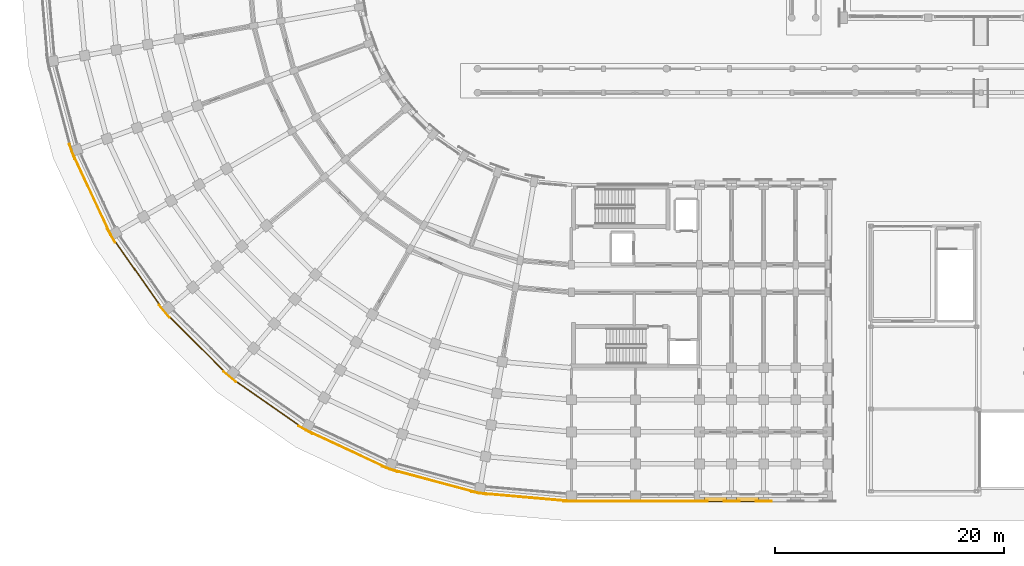
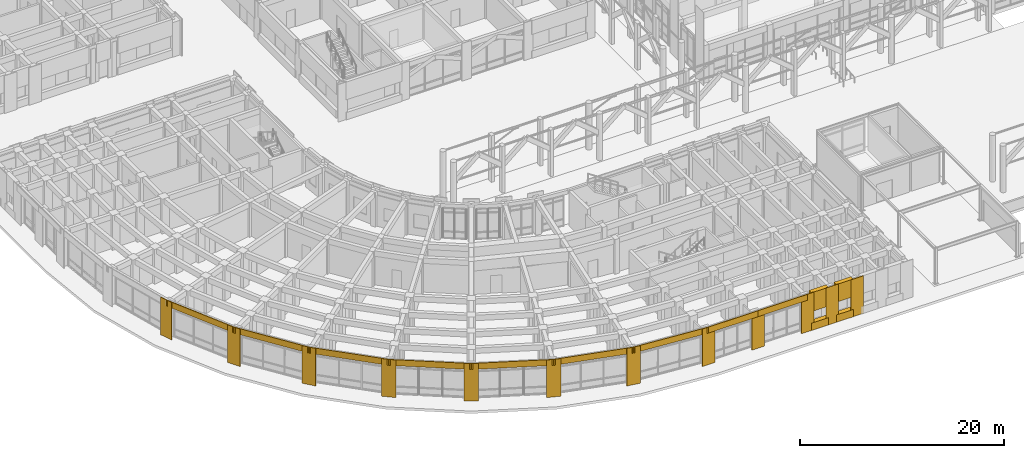
# One storey, part 116 of 135: 25 coverings.
"""IFC4 building model written with IfcOpenShell, lengths in metres."""

from ifc_helpers import new_model, si_unit, direction, frame, origin, place, context, subcontext, project, spatial, polyline, outline, extrude, material, layer, layer_set, type_object, element, save


model = new_model("IFC4")

# Units and contexts
model_context = context("Model", 3, precision=1e-05, world=origin(), true_north=direction((0.0, 1.0)))
body_context = subcontext(model_context, "Body", "Model", "MODEL_VIEW")
ifc_project = project(units=[si_unit("LENGTHUNIT", "METRE"), si_unit("AREAUNIT", "SQUARE_METRE"), si_unit("VOLUMEUNIT", "CUBIC_METRE"), si_unit("PLANEANGLEUNIT", "RADIAN"), si_unit("MASSUNIT", "GRAM", prefix="KILO")], contexts=[model_context])

# Site, building, storey
site_placement = place(None, origin())
site = spatial("IfcSite", under=ifc_project, at=site_placement, CompositionType="ELEMENT")
building_placement = place(site_placement, origin())
building = spatial("IfcBuilding", under=site, at=building_placement, Name="Kiranvali Square Residences", CompositionType="ELEMENT")
storey_placement = place(building_placement, origin())
storey = spatial("IfcBuildingStorey", under=building, at=storey_placement, Name="L00", CompositionType="ELEMENT", Elevation=0.0)

# Coverings
ifc_material_1 = material(Name="Alternating Deccan basalt and Porbandar limestone rusticated plinth ashlar", Category="masonry")
ifc_layer_1 = layer(ifc_material_1, 0.0849609375)
ifc_layer_set_1 = layer_set([ifc_layer_1], Name="Alternating Deccan basalt and Porbandar limestone rusticated plinth ashlar")
covering_type_1 = type_object("IfcCoveringType", Name="COV-CLAD-PLINTH", PredefinedType="CLADDING", material=ifc_layer_set_1)
covering_1_placement = place(storey_placement, frame((0.0, 0.0, 0.0048828125)))
element("IfcCovering", 1, at=covering_1_placement, inside=storey, type_object=covering_type_1, Name="L00 rusticated Ottoman arcade pier CLAD-PR-C-L00-A00", PredefinedType="CLADDING", context=body_context, shape_type="SweptSolid", body=[
    extrude(outline(polyline([(47.4951171875, 1.70703125), (48.905029296875, 1.70703125), (48.905029296875, 1.7744140625), (47.4951171875, 1.7744140625), (47.4951171875, 1.70703125)])), origin(), (0.0, 0.0, 1.0), 4.490234375),
])
covering_2_placement = place(storey_placement, frame((0.0, 0.0, 0.0048828125)))
element("IfcCovering", 2, at=covering_2_placement, inside=storey, type_object=covering_type_1, Name="L00 rusticated Ottoman arcade pier CLAD-PR-C-L00-A01", PredefinedType="CLADDING", context=body_context, shape_type="SweptSolid", body=[
    extrude(outline(polyline([(39.432373046875, 2.53564453125), (40.82080078125, 2.291015625), (40.83251953125, 2.357421875), (39.444091796875, 2.602294921875), (39.432373046875, 2.53564453125)])), origin(), (0.0, 0.0, 1.0), 4.490234375),
])
covering_3_placement = place(storey_placement, frame((0.0, 0.0, 0.0048828125)))
element("IfcCovering", 3, at=covering_3_placement, inside=storey, type_object=covering_type_1, Name="L00 rusticated Ottoman arcade pier CLAD-PR-C-L00-A02", PredefinedType="CLADDING", context=body_context, shape_type="SweptSolid", body=[
    extrude(outline(polyline([(31.635986328125, 4.751953125), (32.9609375, 4.269775390625), (32.984130859375, 4.333251953125), (31.6591796875, 4.8154296875), (31.635986328125, 4.751953125)])), origin(), (0.0, 0.0, 1.0), 4.490234375),
])
covering_4_placement = place(storey_placement, frame((0.0, 0.0, 0.0048828125)))
element("IfcCovering", 4, at=covering_4_placement, inside=storey, type_object=covering_type_1, Name="L00 rusticated Ottoman arcade pier CLAD-PR-C-L00-A03", PredefinedType="CLADDING", context=body_context, shape_type="SweptSolid", body=[
    extrude(outline(polyline([(24.343017578125, 8.288330078125), (25.56396484375, 7.58349609375), (25.597900390625, 7.641845703125), (24.376708984375, 8.346923828125), (24.343017578125, 8.288330078125)])), origin(), (0.0, 0.0, 1.0), 4.490234375),
])
covering_5_placement = place(storey_placement, frame((0.0, 0.0, 0.0048828125)))
element("IfcCovering", 5, at=covering_5_placement, inside=storey, type_object=covering_type_1, Name="L00 rusticated Ottoman arcade pier CLAD-PR-C-L00-A04", PredefinedType="CLADDING", context=body_context, shape_type="SweptSolid", body=[
    extrude(outline(polyline([(17.77490234375, 13.037353515625), (18.85498046875, 12.131103515625), (18.8984375, 12.182861328125), (17.818115234375, 13.089111328125), (17.77490234375, 13.037353515625)])), origin(), (0.0, 0.0, 1.0), 4.490234375),
])
covering_6_placement = place(storey_placement, frame((0.0, 0.0, 0.0048828125)))
element("IfcCovering", 6, at=covering_6_placement, inside=storey, type_object=covering_type_1, Name="L00 rusticated Ottoman arcade pier CLAD-PR-C-L00-A05", PredefinedType="CLADDING", context=body_context, shape_type="SweptSolid", body=[
    extrude(outline(polyline([(12.131103515625, 18.85498046875), (13.037353515625, 17.77490234375), (13.089111328125, 17.818115234375), (12.182861328125, 18.8984375), (12.131103515625, 18.85498046875)])), origin(), (0.0, 0.0, 1.0), 4.490234375),
])
covering_7_placement = place(storey_placement, frame((0.0, 0.0, 0.0048828125)))
element("IfcCovering", 7, at=covering_7_placement, inside=storey, type_object=covering_type_1, Name="L00 rusticated Ottoman arcade pier CLAD-PR-C-L00-A06", PredefinedType="CLADDING", context=body_context, shape_type="SweptSolid", body=[
    extrude(outline(polyline([(7.58349609375, 25.56396484375), (8.288330078125, 24.343017578125), (8.346923828125, 24.376708984375), (7.641845703125, 25.597900390625), (7.58349609375, 25.56396484375)])), origin(), (0.0, 0.0, 1.0), 4.490234375),
])
covering_8_placement = place(storey_placement, frame((0.0, 0.0, 0.0048828125)))
element("IfcCovering", 8, at=covering_8_placement, inside=storey, type_object=covering_type_1, Name="L00 rusticated Ottoman arcade pier CLAD-PR-C-L00-A07", PredefinedType="CLADDING", context=body_context, shape_type="SweptSolid", body=[
    extrude(outline(polyline([(4.269775390625, 32.9609375), (4.751953125, 31.635986328125), (4.8154296875, 31.6591796875), (4.333251953125, 32.984130859375), (4.269775390625, 32.9609375)])), origin(), (0.0, 0.0, 1.0), 4.490234375),
])
covering_9_placement = place(storey_placement, frame((0.0, 0.0, 0.0048828125)))
element("IfcCovering", 9, at=covering_9_placement, inside=storey, type_object=covering_type_1, Name="L00 Classical limestone pilaster casing CLAD-PR-C-L00-U56", PredefinedType="CLADDING", context=body_context, shape_type="SweptSolid", body=[
    extrude(outline(polyline([(53.094970703125, 1.70703125), (54.5048828125, 1.70703125), (54.5048828125, 1.7744140625), (53.094970703125, 1.7744140625), (53.094970703125, 1.70703125)])), origin(), (0.0, 0.0, 1.0), 4.490234375),
])
covering_10_placement = place(storey_placement, frame((0.0, 0.0, 0.0048828125)))
element("IfcCovering", 10, at=covering_10_placement, inside=storey, type_object=covering_type_1, Name="L00 Classical limestone pilaster casing CLAD-PR-C-L00-U112", PredefinedType="CLADDING", context=body_context, shape_type="SweptSolid", body=[
    extrude(outline(polyline([(58.695068359375, 1.70703125), (60.10498046875, 1.70703125), (60.10498046875, 1.7744140625), (58.695068359375, 1.7744140625), (58.695068359375, 1.70703125)])), origin(), (0.0, 0.0, 1.0), 4.490234375),
])
covering_11_placement = place(storey_placement, frame((0.0, 0.0, 0.0048828125)))
element("IfcCovering", 11, at=covering_11_placement, inside=storey, type_object=covering_type_1, Name="L00 Classical limestone pilaster casing CLAD-PR-C-L00-U140", PredefinedType="CLADDING", context=body_context, shape_type="SweptSolid", body=[
    extrude(outline(polyline([(61.4951171875, 1.70703125), (62.905029296875, 1.70703125), (62.905029296875, 1.7744140625), (61.4951171875, 1.7744140625), (61.4951171875, 1.70703125)])), origin(), (0.0, 0.0, 1.0), 4.490234375),
])
covering_12_placement = place(storey_placement, frame((0.0, 0.0, 0.0048828125)))
element("IfcCovering", 12, at=covering_12_placement, inside=storey, type_object=covering_type_1, Name="L00 Classical limestone pilaster casing CLAD-PR-C-L00-U167", PredefinedType="CLADDING", context=body_context, shape_type="SweptSolid", body=[
    extrude(outline(polyline([(64.294921875, 1.70703125), (65.705078125, 1.70703125), (65.705078125, 1.7744140625), (64.294921875, 1.7744140625), (64.294921875, 1.70703125)])), origin(), (0.0, 0.0, 1.0), 4.490234375),
])
ifc_material_2 = material(Name="Honed Porbandar limestone ashlar facade cladding", Category="masonry")
ifc_layer_2 = layer(ifc_material_2, 0.360107421875)
ifc_layer_set_2 = layer_set([ifc_layer_2], Name="Honed Porbandar limestone ashlar facade cladding")
covering_type_2 = type_object("IfcCoveringType", Name="COV-CLAD-WALL", PredefinedType="CLADDING", material=ifc_layer_set_2)
covering_13_placement = place(storey_placement, frame((0.0, 0.0, 3.780029296875)))
element("IfcCovering", 13, at=covering_13_placement, inside=storey, type_object=covering_type_2, Name="Block C L00 Classical Ottoman arcade entablature 1", PredefinedType="CLADDING", context=body_context, shape_type="SweptSolid", body=[
    extrude(outline(polyline([(48.162841796875, 1.774658203125), (40.175048828125, 2.473388671875), (40.168212890625, 2.395751953125), (48.156005859375, 1.697021484375), (48.162841796875, 1.774658203125)])), origin(), (0.0, 0.0, 1.0), 0.715087890625),
])
covering_14_placement = place(storey_placement, frame((0.0, 0.0, 3.780029296875)))
element("IfcCovering", 14, at=covering_14_placement, inside=storey, type_object=covering_type_2, Name="Block C L00 Classical Ottoman arcade entablature 2", PredefinedType="CLADDING", context=body_context, shape_type="SweptSolid", body=[
    extrude(outline(polyline([(40.1015625, 2.486328125), (32.3564453125, 4.561767578125), (32.33642578125, 4.486328125), (40.08154296875, 2.4111328125), (40.1015625, 2.486328125)])), origin(), (0.0, 0.0, 1.0), 0.715087890625),
])
covering_15_placement = place(storey_placement, frame((0.0, 0.0, 3.780029296875)))
element("IfcCovering", 15, at=covering_15_placement, inside=storey, type_object=covering_type_2, Name="Block C L00 Classical Ottoman arcade entablature 3", PredefinedType="CLADDING", context=body_context, shape_type="SweptSolid", body=[
    extrude(outline(polyline([(32.28662109375, 4.587158203125), (25.01953125, 7.975830078125), (24.986572265625, 7.905029296875), (32.253662109375, 4.516357421875), (32.28662109375, 4.587158203125)])), origin(), (0.0, 0.0, 1.0), 0.715087890625),
])
covering_16_placement = place(storey_placement, frame((0.0, 0.0, 3.780029296875)))
element("IfcCovering", 16, at=covering_16_placement, inside=storey, type_object=covering_type_2, Name="Block C L00 Classical Ottoman arcade entablature 4", PredefinedType="CLADDING", context=body_context, shape_type="SweptSolid", body=[
    extrude(outline(polyline([(24.955078125, 8.012939453125), (18.386962890625, 12.612060546875), (18.342041015625, 12.54833984375), (24.910400390625, 7.94921875), (24.955078125, 8.012939453125)])), origin(), (0.0, 0.0, 1.0), 0.715087890625),
])
covering_17_placement = place(storey_placement, frame((0.0, 0.0, 3.780029296875)))
element("IfcCovering", 17, at=covering_17_placement, inside=storey, type_object=covering_type_2, Name="Block C L00 Classical Ottoman arcade entablature 5", PredefinedType="CLADDING", context=body_context, shape_type="SweptSolid", body=[
    extrude(outline(polyline([(18.329833984375, 12.659912109375), (12.659912109375, 18.329833984375), (12.60498046875, 18.274658203125), (18.274658203125, 12.60498046875), (18.329833984375, 12.659912109375)])), origin(), (0.0, 0.0, 1.0), 0.715087890625),
])
covering_18_placement = place(storey_placement, frame((0.0, 0.0, 3.780029296875)))
element("IfcCovering", 18, at=covering_18_placement, inside=storey, type_object=covering_type_2, Name="Block C L00 Classical Ottoman arcade entablature 6", PredefinedType="CLADDING", context=body_context, shape_type="SweptSolid", body=[
    extrude(outline(polyline([(12.612060546875, 18.386962890625), (8.012939453125, 24.955078125), (7.94921875, 24.910400390625), (12.54833984375, 18.342041015625), (12.612060546875, 18.386962890625)])), origin(), (0.0, 0.0, 1.0), 0.715087890625),
])
covering_19_placement = place(storey_placement, frame((0.0, 0.0, 3.780029296875)))
element("IfcCovering", 19, at=covering_19_placement, inside=storey, type_object=covering_type_2, Name="Block C L00 Classical Ottoman arcade entablature 7", PredefinedType="CLADDING", context=body_context, shape_type="SweptSolid", body=[
    extrude(outline(polyline([(7.975830078125, 25.01953125), (4.587158203125, 32.28662109375), (4.516357421875, 32.253662109375), (7.905029296875, 24.986572265625), (7.975830078125, 25.01953125)])), origin(), (0.0, 0.0, 1.0), 0.715087890625),
])
covering_20_placement = place(storey_placement, frame((0.0, 0.0, 3.780029296875)))
element("IfcCovering", 20, at=covering_20_placement, inside=storey, type_object=covering_type_2, Name="Block C L00 Arm 1 street arcade cornice 1", PredefinedType="CLADDING", context=body_context, shape_type="SweptSolid", body=[
    extrude(outline(polyline([(48.199951171875, 1.695068359375), (53.800048828125, 1.695068359375), (53.800048828125, 1.77294921875), (48.199951171875, 1.77294921875), (48.199951171875, 1.695068359375)])), origin(), (0.0, 0.0, 1.0), 0.715087890625),
])
covering_21_placement = place(storey_placement, frame((0.0, 0.0, 3.780029296875)))
element("IfcCovering", 21, at=covering_21_placement, inside=storey, type_object=covering_type_2, Name="Block C L00 Arm 1 street arcade cornice 2", PredefinedType="CLADDING", context=body_context, shape_type="SweptSolid", body=[
    extrude(outline(polyline([(53.800048828125, 1.695068359375), (59.39990234375, 1.695068359375), (59.39990234375, 1.77294921875), (53.800048828125, 1.77294921875), (53.800048828125, 1.695068359375)])), origin(), (0.0, 0.0, 1.0), 0.715087890625),
])
covering_22_placement = place(storey_placement, frame((0.0, 0.0, 2.22998046875)))
element("IfcCovering", 22, at=covering_22_placement, inside=storey, type_object=covering_type_2, Name="L00 light limestone spandrel lintel C-L00-A1O-2", PredefinedType="CLADDING", context=body_context, shape_type="SweptSolid", body=[
    extrude(outline(polyline([(59.840087890625, 1.72509765625), (61.760009765625, 1.72509765625), (61.760009765625, 2.199462890625), (59.840087890625, 2.199462890625), (59.840087890625, 1.72509765625)])), origin(), (0.0, 0.0, 1.0), 2.26513671875),
])
covering_23_placement = place(storey_placement, frame((0.0, 0.0, 0.0048828125)))
element("IfcCovering", 23, at=covering_23_placement, inside=storey, type_object=covering_type_2, Name="L00 limestone window sill apron C-L00-A1O-2", PredefinedType="CLADDING", context=body_context, shape_type="SweptSolid", body=[
    extrude(outline(polyline([(59.840087890625, 1.695068359375), (61.760009765625, 1.695068359375), (61.760009765625, 2.199462890625), (59.840087890625, 2.199462890625), (59.840087890625, 1.695068359375)])), origin(), (0.0, 0.0, 1.0), 0.875),
])
covering_24_placement = place(storey_placement, frame((0.0, 0.0, 2.3798828125)))
element("IfcCovering", 24, at=covering_24_placement, inside=storey, type_object=covering_type_2, Name="L00 light limestone spandrel lintel C-L00-A1O-3", PredefinedType="CLADDING", context=body_context, shape_type="SweptSolid", body=[
    extrude(outline(polyline([(62.639892578125, 1.72509765625), (64.56005859375, 1.72509765625), (64.56005859375, 2.199462890625), (62.639892578125, 2.199462890625), (62.639892578125, 1.72509765625)])), origin(), (0.0, 0.0, 1.0), 2.115234375),
])
covering_25_placement = place(storey_placement, frame((0.0, 0.0, 0.0048828125)))
element("IfcCovering", 25, at=covering_25_placement, inside=storey, type_object=covering_type_2, Name="L00 limestone window sill apron C-L00-A1O-3", PredefinedType="CLADDING", context=body_context, shape_type="SweptSolid", body=[
    extrude(outline(polyline([(62.639892578125, 1.695068359375), (64.56005859375, 1.695068359375), (64.56005859375, 2.199462890625), (62.639892578125, 2.199462890625), (62.639892578125, 1.695068359375)])), origin(), (0.0, 0.0, 1.0), 0.875),
])

save(model, "model.ifc")
